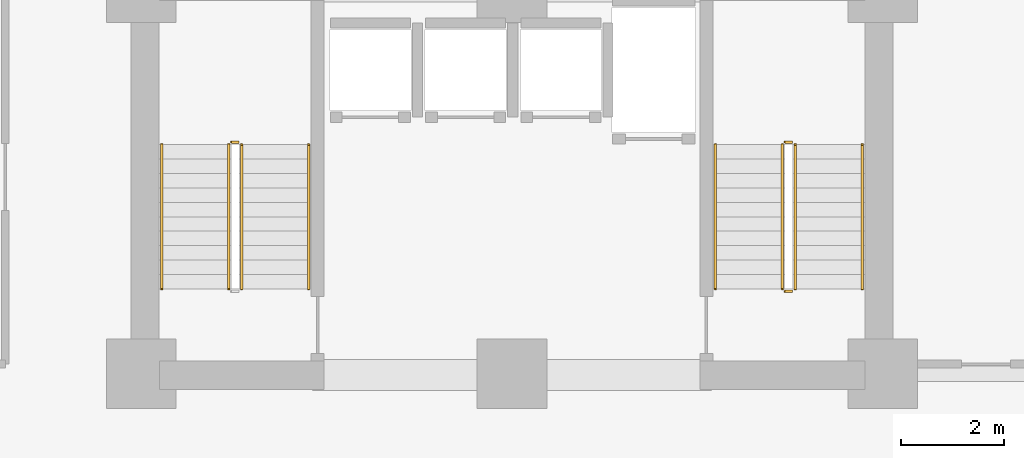
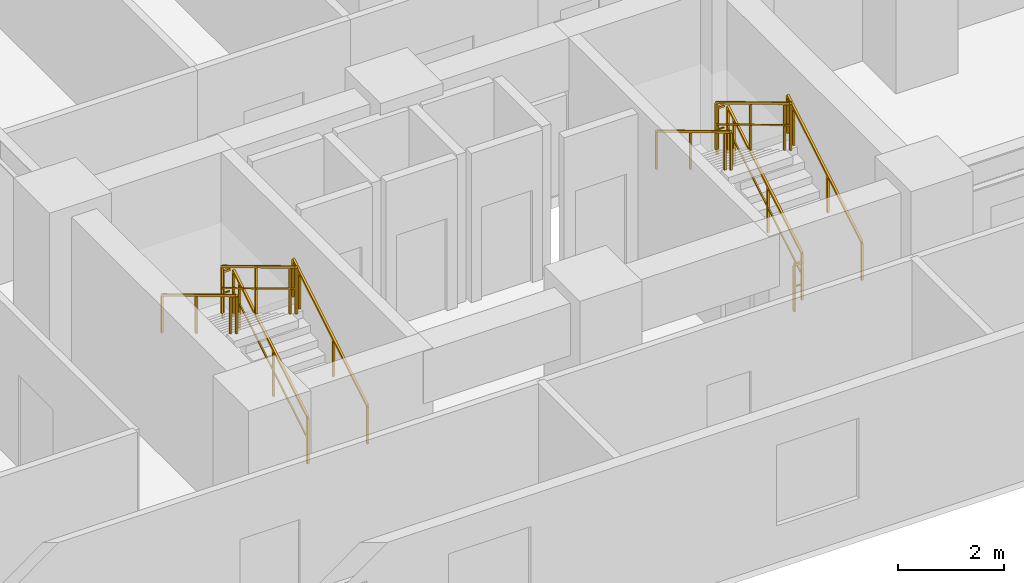
# One storey, part 10 of 11: 11 railings.
"""IFC4 building model written with IfcOpenShell, lengths in metres."""

from ifc_helpers import new_model, si_unit, direction, frame, origin, origin_2d, place, context, subcontext, project, spatial, rectangle, extrude, material, type_object, element, save


model = new_model("IFC4")

# Units and contexts
model_context = context("Model", 3, precision=1e-05, world=origin(), true_north=direction((0.0, 1.0)))
body_context = subcontext(model_context, "Body", "Model", "MODEL_VIEW")
ifc_project = project(units=[si_unit("LENGTHUNIT", "METRE"), si_unit("AREAUNIT", "SQUARE_METRE"), si_unit("VOLUMEUNIT", "CUBIC_METRE"), si_unit("PLANEANGLEUNIT", "RADIAN"), si_unit("MASSUNIT", "GRAM", prefix="KILO")], contexts=[model_context])

# Site, building, storey
site_placement = place(None, origin())
site = spatial("IfcSite", under=ifc_project, at=site_placement, CompositionType="ELEMENT")
building_placement = place(site_placement, origin())
building = spatial("IfcBuilding", under=site, at=building_placement, Name="Kaliganga Portal Commons", CompositionType="ELEMENT")
storey_placement = place(building_placement, frame((0.0, 0.0, 36.39990234375)))
storey = spatial("IfcBuildingStorey", under=building, at=storey_placement, Name="L08", CompositionType="ELEMENT", Elevation=36.39990234375)

# Railings
ifc_material_1 = material(Name="Galvanized Painted Steel Balustrade", Category="steel")
railing_type_1 = type_object("IfcRailingType", Name="RLG-STAIR-GRD", PredefinedType="GUARDRAIL", material=ifc_material_1)
railing_1_placement = place(storey_placement, frame((37.949951171875, 8.699951171875, 0.168212890625)))
element("IfcRailing", 1, at=railing_1_placement, inside=storey, type_object=railing_type_1, Name="L08 ST-B1 stair guard 1", PredefinedType="GUARDRAIL", context=body_context, shape_type="SweptSolid", body=[
    extrude(rectangle(XDim=0.048095703125, YDim=0.048095703125, at=origin_2d()), frame((0.0, 0.0, 1.072021484375), z_axis=(0.0, 0.857242210791, 0.514913383045), x_axis=(-1.0, 0.0, 0.0)), (0.0, 0.0, 1.0), 3.266357421875),
    extrude(rectangle(XDim=0.028076171875, YDim=0.028076171875, at=origin_2d()), frame((0.0, 0.0, 0.572021484375), z_axis=(0.0, 0.857242210791, 0.514913383045), x_axis=(-1.0, 0.0, 0.0)), (0.0, 0.0, 1.0), 3.266357421875),
    extrude(rectangle(XDim=0.0419921875, YDim=0.0419921875, at=origin_2d()), origin(), (0.0, 0.0, 1.0), 1.052001953125),
    extrude(rectangle(XDim=0.0419921875, YDim=0.0419921875, at=origin_2d()), frame((0.0, 1.285888671875, 0.7724609375)), (0.0, 0.0, 1.0), 1.052001953125),
    extrude(rectangle(XDim=0.0419921875, YDim=0.0419921875, at=origin_2d()), frame((0.0, 2.57177734375, 1.544677734375)), (0.0, 0.0, 1.0), 1.052001953125),
    extrude(rectangle(XDim=0.0419921875, YDim=0.0419921875, at=origin_2d()), frame((0.0, 2.800048828125, 1.681884765625)), (0.0, 0.0, 1.0), 1.052001953125),
])
railing_2_placement = place(storey_placement, frame((37.89990234375, 11.550048828125, 1.85009765625)))
element("IfcRailing", 2, at=railing_2_placement, inside=storey, type_object=railing_type_1, Name="L08 ST-B1 stair guard 2", PredefinedType="GUARDRAIL", context=body_context, shape_type="SweptSolid", body=[
    extrude(rectangle(XDim=0.048095703125, YDim=0.048095703125, at=origin_2d()), frame((0.0, 0.0, 1.076171875), z_axis=(-1.0, 0.0, 0.0), x_axis=(0.0, -1.0, 0.0)), (0.0, 0.0, 1.0), 0.14990234375),
    extrude(rectangle(XDim=0.028076171875, YDim=0.028076171875, at=origin_2d()), frame((0.0, 0.0, 0.572021484375), z_axis=(-1.0, 0.0, 0.0), x_axis=(0.0, -1.0, 0.0)), (0.0, 0.0, 1.0), 0.14990234375),
    extrude(rectangle(XDim=0.0419921875, YDim=0.0419921875, at=origin_2d()), frame((-0.14990234375, 0.0, 0.0)), (0.0, 0.0, 1.0), 1.052001953125),
])
railing_3_placement = place(storey_placement, frame((37.699951171875, 11.5, 2.018310546875)))
element("IfcRailing", 3, at=railing_3_placement, inside=storey, type_object=railing_type_1, Name="L08 ST-B1 stair guard 3", PredefinedType="GUARDRAIL", context=body_context, shape_type="SweptSolid", body=[
    extrude(rectangle(XDim=0.048095703125, YDim=0.048095703125, at=origin_2d()), frame((0.0, 0.0, 1.072021484375), z_axis=(0.0, -0.857242210791, 0.514913383045), x_axis=(1.0, 0.0, 0.0)), (0.0, 0.0, 1.0), 3.266357421875),
    extrude(rectangle(XDim=0.028076171875, YDim=0.028076171875, at=origin_2d()), frame((0.0, 0.0, 0.572021484375), z_axis=(0.0, -0.857242210791, 0.514913383045), x_axis=(1.0, 0.0, 0.0)), (0.0, 0.0, 1.0), 3.266357421875),
    extrude(rectangle(XDim=0.0419921875, YDim=0.0419921875, at=origin_2d()), origin(), (0.0, 0.0, 1.0), 1.052001953125),
    extrude(rectangle(XDim=0.0419921875, YDim=0.0419921875, at=origin_2d()), frame((0.0, -1.285888671875, 0.7724609375)), (0.0, 0.0, 1.0), 1.052001953125),
    extrude(rectangle(XDim=0.0419921875, YDim=0.0419921875, at=origin_2d()), frame((0.0, -2.57177734375, 1.544677734375)), (0.0, 0.0, 1.0), 1.052001953125),
    extrude(rectangle(XDim=0.0419921875, YDim=0.0419921875, at=origin_2d()), frame((0.0, -2.800048828125, 1.681884765625)), (0.0, 0.0, 1.0), 1.052001953125),
])
railing_4_placement = place(storey_placement, frame((48.699951171875, 8.699951171875, 0.168212890625)))
element("IfcRailing", 4, at=railing_4_placement, inside=storey, type_object=railing_type_1, Name="L08 ST-B2 stair guard 1", PredefinedType="GUARDRAIL", context=body_context, shape_type="SweptSolid", body=[
    extrude(rectangle(XDim=0.048095703125, YDim=0.048095703125, at=origin_2d()), frame((0.0, 0.0, 1.072021484375), z_axis=(0.0, 0.857242210791, 0.514913383045), x_axis=(-1.0, 0.0, 0.0)), (0.0, 0.0, 1.0), 3.266357421875),
    extrude(rectangle(XDim=0.028076171875, YDim=0.028076171875, at=origin_2d()), frame((0.0, 0.0, 0.572021484375), z_axis=(0.0, 0.857242210791, 0.514913383045), x_axis=(-1.0, 0.0, 0.0)), (0.0, 0.0, 1.0), 3.266357421875),
    extrude(rectangle(XDim=0.0419921875, YDim=0.0419921875, at=origin_2d()), origin(), (0.0, 0.0, 1.0), 1.052001953125),
    extrude(rectangle(XDim=0.0419921875, YDim=0.0419921875, at=origin_2d()), frame((0.0, 1.285888671875, 0.7724609375)), (0.0, 0.0, 1.0), 1.052001953125),
    extrude(rectangle(XDim=0.0419921875, YDim=0.0419921875, at=origin_2d()), frame((0.0, 2.57177734375, 1.544677734375)), (0.0, 0.0, 1.0), 1.052001953125),
    extrude(rectangle(XDim=0.0419921875, YDim=0.0419921875, at=origin_2d()), frame((0.0, 2.800048828125, 1.681884765625)), (0.0, 0.0, 1.0), 1.052001953125),
])
railing_5_placement = place(storey_placement, frame((48.64990234375, 11.550048828125, 1.85009765625)))
element("IfcRailing", 5, at=railing_5_placement, inside=storey, type_object=railing_type_1, Name="L08 ST-B2 stair guard 2", PredefinedType="GUARDRAIL", context=body_context, shape_type="SweptSolid", body=[
    extrude(rectangle(XDim=0.048095703125, YDim=0.048095703125, at=origin_2d()), frame((0.0, 0.0, 1.076171875), z_axis=(-1.0, 0.0, 0.0), x_axis=(0.0, -1.0, 0.0)), (0.0, 0.0, 1.0), 0.14990234375),
    extrude(rectangle(XDim=0.028076171875, YDim=0.028076171875, at=origin_2d()), frame((0.0, 0.0, 0.572021484375), z_axis=(-1.0, 0.0, 0.0), x_axis=(0.0, -1.0, 0.0)), (0.0, 0.0, 1.0), 0.14990234375),
    extrude(rectangle(XDim=0.0419921875, YDim=0.0419921875, at=origin_2d()), frame((-0.14990234375, 0.0, 0.0)), (0.0, 0.0, 1.0), 1.052001953125),
])
railing_6_placement = place(storey_placement, frame((48.449951171875, 11.5, 2.018310546875)))
element("IfcRailing", 6, at=railing_6_placement, inside=storey, type_object=railing_type_1, Name="L08 ST-B2 stair guard 3", PredefinedType="GUARDRAIL", context=body_context, shape_type="SweptSolid", body=[
    extrude(rectangle(XDim=0.048095703125, YDim=0.048095703125, at=origin_2d()), frame((0.0, 0.0, 1.072021484375), z_axis=(0.0, -0.857242210791, 0.514913383045), x_axis=(1.0, 0.0, 0.0)), (0.0, 0.0, 1.0), 3.266357421875),
    extrude(rectangle(XDim=0.028076171875, YDim=0.028076171875, at=origin_2d()), frame((0.0, 0.0, 0.572021484375), z_axis=(0.0, -0.857242210791, 0.514913383045), x_axis=(1.0, 0.0, 0.0)), (0.0, 0.0, 1.0), 3.266357421875),
    extrude(rectangle(XDim=0.0419921875, YDim=0.0419921875, at=origin_2d()), origin(), (0.0, 0.0, 1.0), 1.052001953125),
    extrude(rectangle(XDim=0.0419921875, YDim=0.0419921875, at=origin_2d()), frame((0.0, -1.285888671875, 0.7724609375)), (0.0, 0.0, 1.0), 1.052001953125),
    extrude(rectangle(XDim=0.0419921875, YDim=0.0419921875, at=origin_2d()), frame((0.0, -2.57177734375, 1.544677734375)), (0.0, 0.0, 1.0), 1.052001953125),
    extrude(rectangle(XDim=0.0419921875, YDim=0.0419921875, at=origin_2d()), frame((0.0, -2.800048828125, 1.681884765625)), (0.0, 0.0, 1.0), 1.052001953125),
])
railing_7_placement = place(storey_placement, frame((48.64990234375, 8.64990234375, 0.0)))
element("IfcRailing", 7, at=railing_7_placement, inside=storey, type_object=railing_type_1, Name="L08 ST-B2 stair guard 4", PredefinedType="GUARDRAIL", context=body_context, shape_type="SweptSolid", body=[
    extrude(rectangle(XDim=0.048095703125, YDim=0.048095703125, at=origin_2d()), frame((0.0, 0.0, 1.076171875), z_axis=(-1.0, 0.0, 0.0), x_axis=(0.0, -1.0, 0.0)), (0.0, 0.0, 1.0), 0.14990234375),
    extrude(rectangle(XDim=0.028076171875, YDim=0.028076171875, at=origin_2d()), frame((0.0, 0.0, 0.572021484375), z_axis=(-1.0, 0.0, 0.0), x_axis=(0.0, -1.0, 0.0)), (0.0, 0.0, 1.0), 0.14990234375),
    extrude(rectangle(XDim=0.0419921875, YDim=0.0419921875, at=origin_2d()), frame((-0.14990234375, 0.0, 0.0)), (0.0, 0.0, 1.0), 1.052001953125),
])
ifc_material_2 = material(Name="Brushed Stainless Steel 316", Category="steel")
railing_type_2 = type_object("IfcRailingType", Name="RLG-STAIR-HR", PredefinedType="HANDRAIL", material=ifc_material_2)
railing_8_placement = place(storey_placement, frame((39.25, 8.699951171875, 0.168212890625)))
element("IfcRailing", 8, at=railing_8_placement, inside=storey, type_object=railing_type_2, Name="L08 ST-B1 stair handrail 1", PredefinedType="HANDRAIL", context=body_context, shape_type="SweptSolid", body=[
    extrude(rectangle(XDim=0.048095703125, YDim=0.048095703125, at=origin_2d()), frame((0.0, 0.0, 0.871826171875), z_axis=(0.0, 0.857242210791, 0.514913383045), x_axis=(-1.0, 0.0, 0.0)), (0.0, 0.0, 1.0), 3.266357421875),
    extrude(rectangle(XDim=0.0419921875, YDim=0.0419921875, at=origin_2d()), origin(), (0.0, 0.0, 1.0), 0.851806640625),
    extrude(rectangle(XDim=0.0419921875, YDim=0.0419921875, at=origin_2d()), frame((0.0, 1.285888671875, 0.7724609375)), (0.0, 0.0, 1.0), 0.851806640625),
    extrude(rectangle(XDim=0.0419921875, YDim=0.0419921875, at=origin_2d()), frame((0.0, 2.57177734375, 1.544677734375)), (0.0, 0.0, 1.0), 0.851806640625),
    extrude(rectangle(XDim=0.0419921875, YDim=0.0419921875, at=origin_2d()), frame((0.0, 2.800048828125, 1.681884765625)), (0.0, 0.0, 1.0), 0.851806640625),
])
railing_9_placement = place(storey_placement, frame((36.39990234375, 11.5, 2.018310546875)))
element("IfcRailing", 9, at=railing_9_placement, inside=storey, type_object=railing_type_2, Name="L08 ST-B1 stair handrail 2", PredefinedType="HANDRAIL", context=body_context, shape_type="SweptSolid", body=[
    extrude(rectangle(XDim=0.048095703125, YDim=0.048095703125, at=origin_2d()), frame((0.0, 0.0, 0.871826171875), z_axis=(0.0, -0.857242210791, 0.514913383045), x_axis=(1.0, 0.0, 0.0)), (0.0, 0.0, 1.0), 3.266357421875),
    extrude(rectangle(XDim=0.0419921875, YDim=0.0419921875, at=origin_2d()), origin(), (0.0, 0.0, 1.0), 0.851806640625),
    extrude(rectangle(XDim=0.0419921875, YDim=0.0419921875, at=origin_2d()), frame((0.0, -1.285888671875, 0.7724609375)), (0.0, 0.0, 1.0), 0.851806640625),
    extrude(rectangle(XDim=0.0419921875, YDim=0.0419921875, at=origin_2d()), frame((0.0, -2.57177734375, 1.544677734375)), (0.0, 0.0, 1.0), 0.851806640625),
    extrude(rectangle(XDim=0.0419921875, YDim=0.0419921875, at=origin_2d()), frame((0.0, -2.800048828125, 1.681884765625)), (0.0, 0.0, 1.0), 0.851806640625),
])
railing_10_placement = place(storey_placement, frame((50.0, 8.699951171875, 0.168212890625)))
element("IfcRailing", 10, at=railing_10_placement, inside=storey, type_object=railing_type_2, Name="L08 ST-B2 stair handrail 1", PredefinedType="HANDRAIL", context=body_context, shape_type="SweptSolid", body=[
    extrude(rectangle(XDim=0.048095703125, YDim=0.048095703125, at=origin_2d()), frame((0.0, 0.0, 0.871826171875), z_axis=(0.0, 0.857242210791, 0.514913383045), x_axis=(-1.0, 0.0, 0.0)), (0.0, 0.0, 1.0), 3.266357421875),
    extrude(rectangle(XDim=0.0419921875, YDim=0.0419921875, at=origin_2d()), origin(), (0.0, 0.0, 1.0), 0.851806640625),
    extrude(rectangle(XDim=0.0419921875, YDim=0.0419921875, at=origin_2d()), frame((0.0, 1.285888671875, 0.7724609375)), (0.0, 0.0, 1.0), 0.851806640625),
    extrude(rectangle(XDim=0.0419921875, YDim=0.0419921875, at=origin_2d()), frame((0.0, 2.57177734375, 1.544677734375)), (0.0, 0.0, 1.0), 0.851806640625),
    extrude(rectangle(XDim=0.0419921875, YDim=0.0419921875, at=origin_2d()), frame((0.0, 2.800048828125, 1.681884765625)), (0.0, 0.0, 1.0), 0.851806640625),
])
railing_11_placement = place(storey_placement, frame((47.14990234375, 11.5, 2.018310546875)))
element("IfcRailing", 11, at=railing_11_placement, inside=storey, type_object=railing_type_2, Name="L08 ST-B2 stair handrail 2", PredefinedType="HANDRAIL", context=body_context, shape_type="SweptSolid", body=[
    extrude(rectangle(XDim=0.048095703125, YDim=0.048095703125, at=origin_2d()), frame((0.0, 0.0, 0.871826171875), z_axis=(0.0, -0.857242210791, 0.514913383045), x_axis=(1.0, 0.0, 0.0)), (0.0, 0.0, 1.0), 3.266357421875),
    extrude(rectangle(XDim=0.0419921875, YDim=0.0419921875, at=origin_2d()), origin(), (0.0, 0.0, 1.0), 0.851806640625),
    extrude(rectangle(XDim=0.0419921875, YDim=0.0419921875, at=origin_2d()), frame((0.0, -1.285888671875, 0.7724609375)), (0.0, 0.0, 1.0), 0.851806640625),
    extrude(rectangle(XDim=0.0419921875, YDim=0.0419921875, at=origin_2d()), frame((0.0, -2.57177734375, 1.544677734375)), (0.0, 0.0, 1.0), 0.851806640625),
    extrude(rectangle(XDim=0.0419921875, YDim=0.0419921875, at=origin_2d()), frame((0.0, -2.800048828125, 1.681884765625)), (0.0, 0.0, 1.0), 0.851806640625),
])

save(model, "model.ifc")
